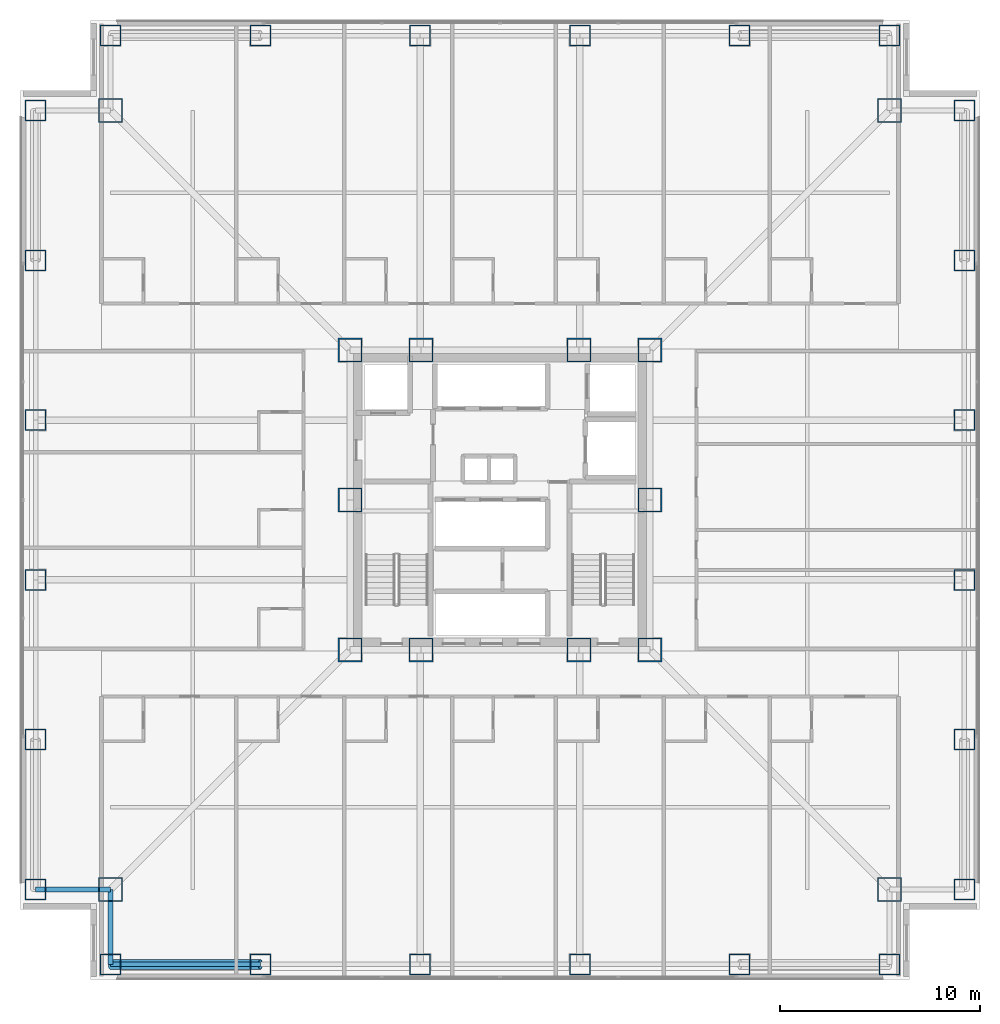
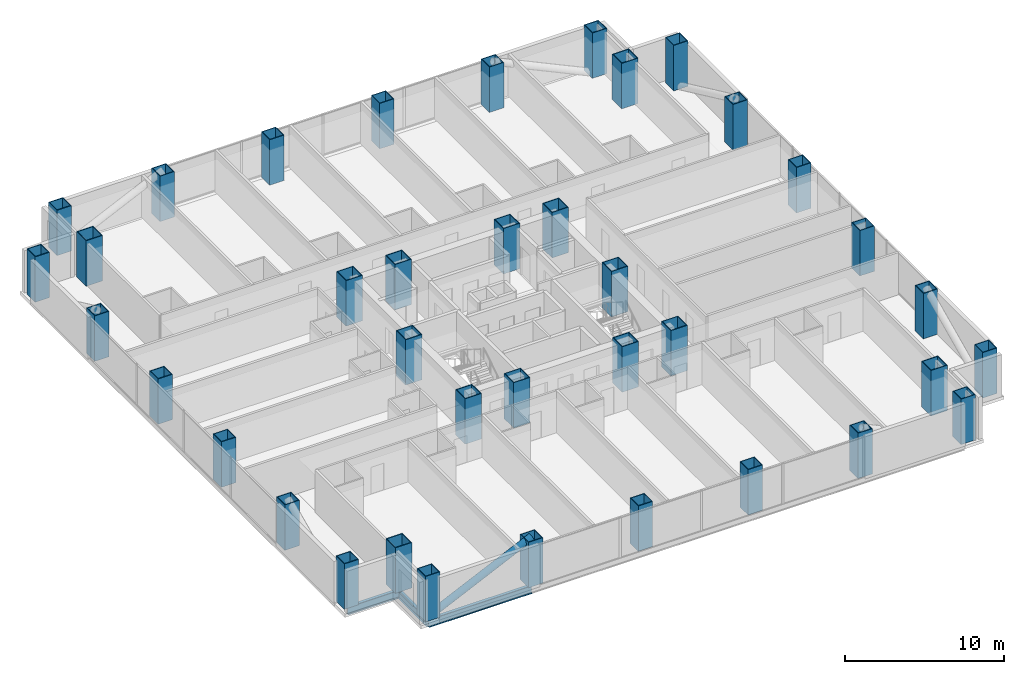
# One storey, part 1 of 23: 38 columns, 3 beams, 1 member.
"""IFC4 building model written with IfcOpenShell, lengths in metres."""

from ifc_helpers import new_model, si_unit, direction, frame, origin, origin_2d, place, context, subcontext, project, spatial, hollow_rectangle, hollow_circle, i_section, extrude, material, material_profile, profile_set, type_object, element, save


model = new_model("IFC4")

# Units and contexts
model_context = context("Model", 3, precision=1e-05, world=origin(), true_north=direction((0.0, 1.0)))
body_context = subcontext(model_context, "Body", "Model", "MODEL_VIEW")
ifc_project = project(units=[si_unit("LENGTHUNIT", "METRE"), si_unit("AREAUNIT", "SQUARE_METRE"), si_unit("VOLUMEUNIT", "CUBIC_METRE"), si_unit("PLANEANGLEUNIT", "RADIAN"), si_unit("MASSUNIT", "GRAM", prefix="KILO")], contexts=[model_context])

# Site, building, storey
site_placement = place(None, origin())
site = spatial("IfcSite", under=ifc_project, at=site_placement, CompositionType="ELEMENT")
building_placement = place(site_placement, origin())
building = spatial("IfcBuilding", under=site, at=building_placement, Name="Trevonay Congress Spire", CompositionType="ELEMENT")
storey_placement = place(building_placement, frame((0.0, 0.0, 34.0)))
storey = spatial("IfcBuildingStorey", under=building, at=storey_placement, Name="L07", CompositionType="ELEMENT", Elevation=34.0)

# Columns
ifc_material = material(Name="Steel ASTM A572 Grade 50", Category="steel")
ifc_material_profile_1 = material_profile(ifc_material, hollow_rectangle(XDim=1.199951171875, YDim=1.199951171875, WallThickness=0.054931640625, at=origin_2d()), Name="BOX 1200x1200x55")
ifc_profile_set_1 = profile_set([ifc_material_profile_1], Name="Steel ASTM A572 Grade 50")
column_type_1 = type_object("IfcColumnType", Name="COL-CORE-BOX1200", PredefinedType="COLUMN", material=ifc_profile_set_1)
for number, where, z_axis, x_axis, name in (
    (1, (-7.5, -7.5, 0.0), (0.0, 0.0, 1.0), (1.0, 0.0, 0.0), "L07 column C02 at CC-SW"),
    (2, (-3.949951171875, -7.5, 0.0), (0.0, 0.0, 1.0), (1.0, 0.0, 0.0), "L07 column C02 at CC-SMW"),
    (3, (3.949951171875, -7.5, 0.0), (0.0, 0.0, 1.0), (1.0, 0.0, 0.0), "L07 column C02 at CC-SME"),
    (4, (7.5, -7.5, 0.0), (0.0, 0.0, 1.0), (1.0, 0.0, 0.0), "L07 column C02 at CC-SE"),
    (5, (7.5, 0.0, 0.0), (0.0, 0.0, 1.0), (1.0, 0.0, 0.0), "L07 column C02 at CC-E"),
    (6, (7.5, 7.5, 0.0), (0.0, 0.0, 1.0), (1.0, 0.0, 0.0), "L07 column C02 at CC-NE"),
    (7, (3.949951171875, 7.5, 0.0), (0.0, 0.0, 1.0), (1.0, 0.0, 0.0), "L07 column C02 at CC-NME"),
    (8, (-3.949951171875, 7.5, 0.0), (0.0, 0.0, 1.0), (1.0, 0.0, 0.0), "L07 column C02 at CC-NMW"),
    (9, (-7.5, 7.5, 0.0), (0.0, 0.0, 1.0), (1.0, 0.0, 0.0), "L07 column C02 at CC-NW"),
    (10, (-7.5, 0.0, 0.0), (0.0, 0.0, 1.0), (1.0, 0.0, 0.0), "L07 column C02 at CC-W"),
):
    element("IfcColumn", number, at=place(storey_placement, frame(where, z_axis=z_axis, x_axis=x_axis)), inside=storey, type_object=column_type_1, Name=name, PredefinedType="COLUMN", context=body_context, shape_type="SweptSolid", body=[
        extrude(hollow_rectangle(XDim=1.199951171875, YDim=1.199951171875, WallThickness=0.054931640625, at=origin_2d()), origin(), (0.0, 0.0, 1.0), 3.5),
    ])
ifc_material_profile_2 = material_profile(ifc_material, hollow_rectangle(XDim=1.199951171875, YDim=1.199951171875, WallThickness=0.054931640625, at=origin_2d()), Name="BOX 1200x1200x55")
ifc_profile_set_2 = profile_set([ifc_material_profile_2], Name="Steel ASTM A572 Grade 50")
column_type_2 = type_object("IfcColumnType", Name="COL-NOTCH-BOX1200", PredefinedType="COLUMN", material=ifc_profile_set_2)
for number, where, z_axis, x_axis, name in (
    (11, (-19.5, -19.5, 0.0), (0.0, 0.0, 1.0), (1.0, 0.0, 0.0), "L07 column C19 at NC-SW"),
    (12, (19.5, -19.5, 0.0), (0.0, 0.0, 1.0), (1.0, 0.0, 0.0), "L07 column C19 at NC-SE"),
    (13, (19.5, 19.5, 0.0), (0.0, 0.0, 1.0), (1.0, 0.0, 0.0), "L07 column C19 at NC-NE"),
    (14, (-19.5, 19.5, 0.0), (0.0, 0.0, 1.0), (1.0, 0.0, 0.0), "L07 column C19 at NC-NW"),
):
    element("IfcColumn", number, at=place(storey_placement, frame(where, z_axis=z_axis, x_axis=x_axis)), inside=storey, type_object=column_type_2, Name=name, PredefinedType="COLUMN", context=body_context, shape_type="SweptSolid", body=[
        extrude(hollow_rectangle(XDim=1.199951171875, YDim=1.199951171875, WallThickness=0.054931640625, at=origin_2d()), origin(), (0.0, 0.0, 1.0), 3.5),
    ])
ifc_material_profile_3 = material_profile(ifc_material, hollow_rectangle(XDim=1.050048828125, YDim=1.050048828125, WallThickness=0.050048828125, at=origin_2d()), Name="BOX 1050x1050x50")
ifc_profile_set_3 = profile_set([ifc_material_profile_3], Name="Steel ASTM A572 Grade 50")
column_type_3 = type_object("IfcColumnType", Name="COL-TUBE-BOX1050", PredefinedType="COLUMN", material=ifc_profile_set_3)
for number, where, z_axis, x_axis, name in (
    (15, (-19.5, -23.25, 0.0), (0.0, 0.0, 1.0), (1.0, 0.0, 0.0), "L07 column C14 at TS-1"),
    (16, (-19.5, 23.25, 0.0), (0.0, 0.0, 1.0), (1.0, 0.0, 0.0), "L07 column C14 at TN-1"),
    (17, (-23.25, -19.5, 0.0), (0.0, 0.0, 1.0), (1.0, 0.0, 0.0), "L07 column C14 at TW-1"),
    (18, (23.25, -19.5, 0.0), (0.0, 0.0, 1.0), (1.0, 0.0, 0.0), "L07 column C14 at TE-1"),
    (19, (-12.0, -23.25, 0.0), (0.0, 0.0, 1.0), (1.0, 0.0, 0.0), "L07 column C14 at TS-2"),
    (20, (-12.0, 23.25, 0.0), (0.0, 0.0, 1.0), (1.0, 0.0, 0.0), "L07 column C14 at TN-2"),
    (21, (-23.25, -12.0, 0.0), (0.0, 0.0, 1.0), (1.0, 0.0, 0.0), "L07 column C14 at TW-2"),
    (22, (23.25, -12.0, 0.0), (0.0, 0.0, 1.0), (1.0, 0.0, 0.0), "L07 column C14 at TE-2"),
    (23, (-4.0, -23.25, 0.0), (0.0, 0.0, 1.0), (1.0, 0.0, 0.0), "L07 column C14 at TS-3"),
    (24, (-4.0, 23.25, 0.0), (0.0, 0.0, 1.0), (1.0, 0.0, 0.0), "L07 column C14 at TN-3"),
    (25, (-23.25, -4.0, 0.0), (0.0, 0.0, 1.0), (1.0, 0.0, 0.0), "L07 column C14 at TW-3"),
    (26, (23.25, -4.0, 0.0), (0.0, 0.0, 1.0), (1.0, 0.0, 0.0), "L07 column C14 at TE-3"),
    (27, (4.0, -23.25, 0.0), (0.0, 0.0, 1.0), (1.0, 0.0, 0.0), "L07 column C14 at TS-4"),
    (28, (4.0, 23.25, 0.0), (0.0, 0.0, 1.0), (1.0, 0.0, 0.0), "L07 column C14 at TN-4"),
    (29, (-23.25, 4.0, 0.0), (0.0, 0.0, 1.0), (1.0, 0.0, 0.0), "L07 column C14 at TW-4"),
    (30, (23.25, 4.0, 0.0), (0.0, 0.0, 1.0), (1.0, 0.0, 0.0), "L07 column C14 at TE-4"),
    (31, (12.0, -23.25, 0.0), (0.0, 0.0, 1.0), (1.0, 0.0, 0.0), "L07 column C14 at TS-5"),
    (32, (12.0, 23.25, 0.0), (0.0, 0.0, 1.0), (1.0, 0.0, 0.0), "L07 column C14 at TN-5"),
    (33, (-23.25, 12.0, 0.0), (0.0, 0.0, 1.0), (1.0, 0.0, 0.0), "L07 column C14 at TW-5"),
    (34, (23.25, 12.0, 0.0), (0.0, 0.0, 1.0), (1.0, 0.0, 0.0), "L07 column C14 at TE-5"),
    (35, (19.5, -23.25, 0.0), (0.0, 0.0, 1.0), (1.0, 0.0, 0.0), "L07 column C14 at TS-6"),
    (36, (19.5, 23.25, 0.0), (0.0, 0.0, 1.0), (1.0, 0.0, 0.0), "L07 column C14 at TN-6"),
    (37, (-23.25, 19.5, 0.0), (0.0, 0.0, 1.0), (1.0, 0.0, 0.0), "L07 column C14 at TW-6"),
    (38, (23.25, 19.5, 0.0), (0.0, 0.0, 1.0), (1.0, 0.0, 0.0), "L07 column C14 at TE-6"),
):
    element("IfcColumn", number, at=place(storey_placement, frame(where, z_axis=z_axis, x_axis=x_axis)), inside=storey, type_object=column_type_3, Name=name, PredefinedType="COLUMN", context=body_context, shape_type="SweptSolid", body=[
        extrude(hollow_rectangle(XDim=1.050048828125, YDim=1.050048828125, WallThickness=0.050048828125, at=origin_2d()), origin(), (0.0, 0.0, 1.0), 3.5),
    ])

# Beams
ifc_material_profile_4 = material_profile(ifc_material, i_section(OverallWidth=0.22998046875, OverallDepth=0.616943359375, WebThickness=0.01318359375, FlangeThickness=0.022216796875, FilletRadius=0.01611328125, at=origin_2d()), Name="W610x140")
ifc_profile_set_4 = profile_set([ifc_material_profile_4], Name="Steel ASTM A572 Grade 50")
beam_type = type_object("IfcBeamType", Name="BM-RING-W610X140", PredefinedType="BEAM", material=ifc_profile_set_4)
beam_placement = place(storey_placement, frame((-19.5, -23.25, -0.55859375), z_axis=(1.0, 0.0, 0.0), x_axis=(0.0, 1.0, 0.0)))
element("IfcBeam", 39, at=beam_placement, inside=storey, type_object=beam_type, Name="L07 structural beam BM-L07-PS1", PredefinedType="BEAM", context=body_context, shape_type="SweptSolid", body=[
    extrude(i_section(OverallWidth=0.22998046875, OverallDepth=0.616943359375, WebThickness=0.01318359375, FlangeThickness=0.022216796875, FilletRadius=0.01611328125, at=origin_2d()), origin(), (0.0, 0.0, 1.0), 7.5),
])
for number, where, z_axis, x_axis, name in (
    (40, (-19.5, -23.25, -0.55859375), (0.0, 1.0, 0.0), (-1.0, 0.0, 0.0), "L07 structural beam BM-L07-N1SW"),
    (41, (-23.25, -19.5, -0.55859375), (1.0, 0.0, 0.0), (0.0, 1.0, 0.0), "L07 structural beam BM-L07-N2SW"),
):
    element("IfcBeam", number, at=place(storey_placement, frame(where, z_axis=z_axis, x_axis=x_axis)), inside=storey, type_object=beam_type, Name=name, PredefinedType="BEAM", context=body_context, shape_type="SweptSolid", body=[
        extrude(i_section(OverallWidth=0.22998046875, OverallDepth=0.616943359375, WebThickness=0.01318359375, FlangeThickness=0.022216796875, FilletRadius=0.01611328125, at=origin_2d()), origin(), (0.0, 0.0, 1.0), 3.75),
    ])

# Member
ifc_material_profile_5 = material_profile(ifc_material, hollow_circle(Radius=0.25390625, WallThickness=0.02490234375, at=origin_2d()), Name="CHS 508x25")
ifc_profile_set_5 = profile_set([ifc_material_profile_5], Name="Steel ASTM A572 Grade 50")
member_type = type_object("IfcMemberType", Name="MBR-TUBE-CHS508", PredefinedType="BRACE", material=ifc_profile_set_5)
member_placement = place(storey_placement, frame((-19.5, -23.25, -0.050048828125), z_axis=(0.906183139995, 0.0, 0.422885465331), x_axis=(0.0, 1.0, 0.0)))
element("IfcMember", 42, at=member_placement, inside=storey, type_object=member_type, Name="L07 perimeter braced-tube diagonal S0", PredefinedType="BRACE", context=body_context, shape_type="SweptSolid", body=[
    extrude(hollow_circle(Radius=0.25390625, WallThickness=0.02490234375, at=origin_2d()), origin(), (0.0, 0.0, 1.0), 8.2763671875),
])

save(model, "model.ifc")
